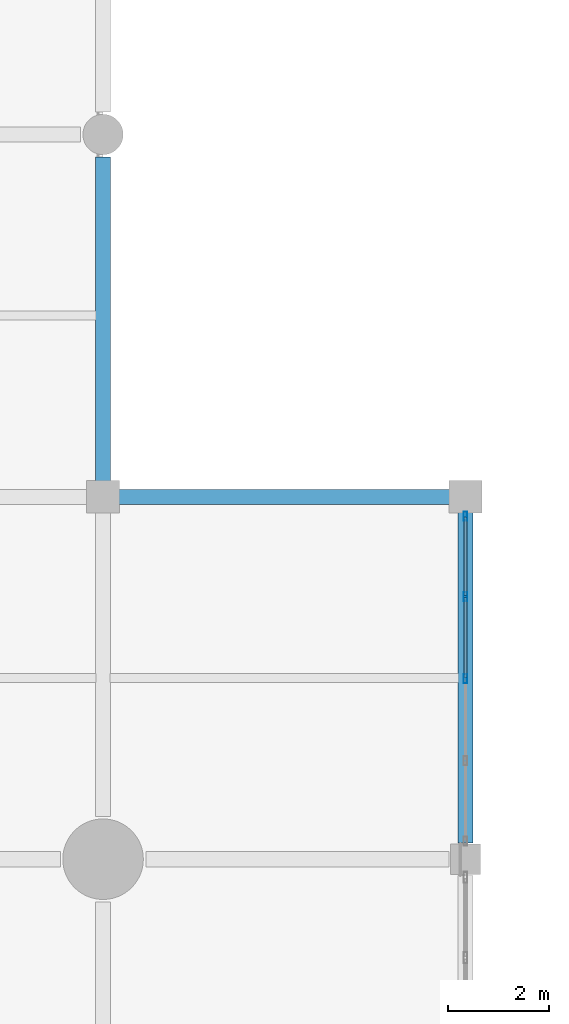
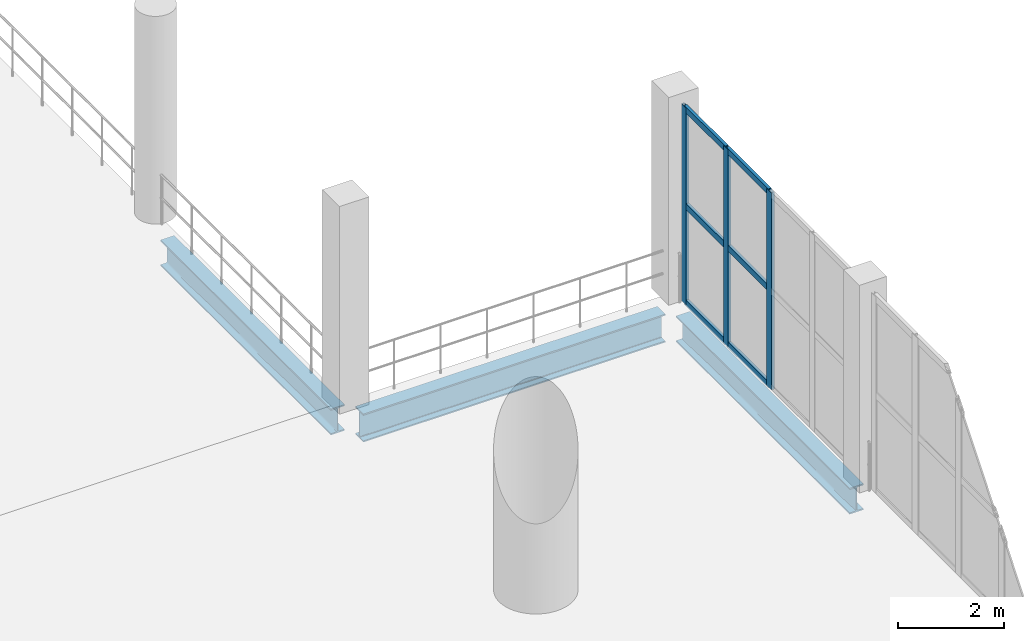
# One storey, part 54 of 105: 9 members, 3 beams, 1 element without a shape of its own.
"""IFC4 building model written with IfcOpenShell, lengths in metres."""

from ifc_helpers import new_model, si_unit, direction, frame, origin, origin_2d, place, context, subcontext, project, spatial, hollow_rectangle, i_section, extrude, material, material_profile, profile_set, type_object, element, aggregate, save


model = new_model("IFC4")

# Units and contexts
model_context = context("Model", 3, precision=1e-05, world=origin(), true_north=direction((0.0, 1.0)))
body_context = subcontext(model_context, "Body", "Model", "MODEL_VIEW")
ifc_project = project(units=[si_unit("LENGTHUNIT", "METRE"), si_unit("AREAUNIT", "SQUARE_METRE"), si_unit("VOLUMEUNIT", "CUBIC_METRE"), si_unit("PLANEANGLEUNIT", "RADIAN"), si_unit("MASSUNIT", "GRAM", prefix="KILO")], contexts=[model_context])

# Site, building, storey
site_placement = place(None, origin())
site = spatial("IfcSite", under=ifc_project, at=site_placement, CompositionType="ELEMENT")
building_placement = place(site_placement, origin())
building = spatial("IfcBuilding", under=site, at=building_placement, Name="Qandorah Velis Arena", CompositionType="ELEMENT")
storey_placement = place(building_placement, frame((0.0, 0.0, 13.800048828125)))
storey = spatial("IfcBuildingStorey", under=building, at=storey_placement, Name="L03", CompositionType="ELEMENT", Elevation=13.800048828125)

# Curtain wall, members
ifc_material_1 = material(Name="Solar-control low-E double glazing", Category="glass")
curtain_wall_type = type_object("IfcCurtainWallType", Name="ARC-CW-SYS10", PredefinedType="USERDEFINED", material=ifc_material_1)
curtain_wall_placement = place(storey_placement, origin())
curtain_wall = element("IfcCurtainWall", 1, at=curtain_wall_placement, inside=storey, type_object=curtain_wall_type, Name="Unitised curtain wall L03-178", ObjectType="UNITISED CURTAIN WALL", PredefinedType="USERDEFINED")
ifc_material_2 = material(Name="Champagne-bronze anodized aluminium 6063-T6", Category="aluminium")
ifc_material_profile_1 = material_profile(ifc_material_2, hollow_rectangle(XDim=0.06494140625, YDim=0.179931640625, WallThickness=0.00341796875, at=origin_2d()), Name="ALU MULLION 65x180")
ifc_profile_set_1 = profile_set([ifc_material_profile_1], Name="Champagne-bronze anodized aluminium 6063-T6")
member_type_1 = type_object("IfcMemberType", Name="ARC-CWM-180", PredefinedType="MULLION", material=ifc_profile_set_1)
member_1_placement = place(storey_placement, frame((122.39990234375, 104.387451171875, -0.01513671875), z_axis=(0.0, 0.0, 1.0), x_axis=(-1.0, 0.0, 0.0)))
member_1 = element("IfcMember", 2, at=member_1_placement, type_object=member_type_1, Name="CW10 mullion 3", PredefinedType="MULLION", context=body_context, shape_type="SweptSolid", body=[
    extrude(hollow_rectangle(XDim=0.06494140625, YDim=0.179931640625, WallThickness=0.00341796875, at=origin_2d()), origin(), (0.0, 0.0, 1.0), 4.56005859375),
])
member_2_placement = place(storey_placement, frame((122.39990234375, 106.018798828125, -0.01513671875), z_axis=(0.0, 0.0, 1.0), x_axis=(-1.0, 0.0, 0.0)))
member_2 = element("IfcMember", 3, at=member_2_placement, type_object=member_type_1, Name="CW10 mullion 4", PredefinedType="MULLION", context=body_context, shape_type="SweptSolid", body=[
    extrude(hollow_rectangle(XDim=0.06494140625, YDim=0.179931640625, WallThickness=0.00341796875, at=origin_2d()), origin(), (0.0, 0.0, 1.0), 4.56005859375),
])
member_3_placement = place(storey_placement, frame((122.39990234375, 107.617431640625, -0.01513671875), z_axis=(0.0, 0.0, 1.0), x_axis=(-1.0, 0.0, 0.0)))
member_3 = element("IfcMember", 4, at=member_3_placement, type_object=member_type_1, Name="CW10 mullion 5", PredefinedType="MULLION", context=body_context, shape_type="SweptSolid", body=[
    extrude(hollow_rectangle(XDim=0.06494140625, YDim=0.179931640625, WallThickness=0.00341796875, at=origin_2d()), origin(), (0.0, 0.0, 1.0), 4.56005859375),
])
ifc_material_profile_2 = material_profile(ifc_material_2, hollow_rectangle(XDim=0.06494140625, YDim=0.139892578125, WallThickness=0.0029296875, at=origin_2d()), Name="ALU TRANSOM 65x140")
ifc_profile_set_2 = profile_set([ifc_material_profile_2], Name="Champagne-bronze anodized aluminium 6063-T6")
member_type_2 = type_object("IfcMemberType", Name="ARC-CWT-140", PredefinedType="USERDEFINED", material=ifc_profile_set_2)
member_4_placement = place(storey_placement, frame((122.39990234375, 104.407958984375, 0.032470703125), z_axis=(0.0, 1.0, 0.0), x_axis=(-1.0, 0.0, 0.0)))
member_4 = element("IfcMember", 5, at=member_4_placement, type_object=member_type_2, Name="CW10 transom 3.1", ObjectType="TRANSOM", PredefinedType="USERDEFINED", context=body_context, shape_type="SweptSolid", body=[
    extrude(hollow_rectangle(XDim=0.06494140625, YDim=0.139892578125, WallThickness=0.0029296875, at=origin_2d()), origin(), (0.0, 0.0, 1.0), 1.59033203125),
])
member_5_placement = place(storey_placement, frame((122.39990234375, 104.407958984375, 2.264892578125), z_axis=(0.0, 1.0, 0.0), x_axis=(-1.0, 0.0, 0.0)))
member_5 = element("IfcMember", 6, at=member_5_placement, type_object=member_type_2, Name="CW10 transom 3.2", ObjectType="TRANSOM", PredefinedType="USERDEFINED", context=body_context, shape_type="SweptSolid", body=[
    extrude(hollow_rectangle(XDim=0.06494140625, YDim=0.139892578125, WallThickness=0.0029296875, at=origin_2d()), origin(), (0.0, 0.0, 1.0), 1.59033203125),
])
member_6_placement = place(storey_placement, frame((122.39990234375, 104.407958984375, 4.49755859375), z_axis=(0.0, 1.0, 0.0), x_axis=(-1.0, 0.0, 0.0)))
member_6 = element("IfcMember", 7, at=member_6_placement, type_object=member_type_2, Name="CW10 transom 3.3", ObjectType="TRANSOM", PredefinedType="USERDEFINED", context=body_context, shape_type="SweptSolid", body=[
    extrude(hollow_rectangle(XDim=0.06494140625, YDim=0.139892578125, WallThickness=0.0029296875, at=origin_2d()), origin(), (0.0, 0.0, 1.0), 1.59033203125),
])
member_7_placement = place(storey_placement, frame((122.39990234375, 106.039306640625, 0.032470703125), z_axis=(0.0, 1.0, 0.0), x_axis=(-1.0, 0.0, 0.0)))
member_7 = element("IfcMember", 8, at=member_7_placement, type_object=member_type_2, Name="CW10 transom 4.1", ObjectType="TRANSOM", PredefinedType="USERDEFINED", context=body_context, shape_type="SweptSolid", body=[
    extrude(hollow_rectangle(XDim=0.06494140625, YDim=0.139892578125, WallThickness=0.0029296875, at=origin_2d()), origin(), (0.0, 0.0, 1.0), 1.5576171875),
])
member_8_placement = place(storey_placement, frame((122.39990234375, 106.039306640625, 2.264892578125), z_axis=(0.0, 1.0, 0.0), x_axis=(-1.0, 0.0, 0.0)))
member_8 = element("IfcMember", 9, at=member_8_placement, type_object=member_type_2, Name="CW10 transom 4.2", ObjectType="TRANSOM", PredefinedType="USERDEFINED", context=body_context, shape_type="SweptSolid", body=[
    extrude(hollow_rectangle(XDim=0.06494140625, YDim=0.139892578125, WallThickness=0.0029296875, at=origin_2d()), origin(), (0.0, 0.0, 1.0), 1.5576171875),
])
member_9_placement = place(storey_placement, frame((122.39990234375, 106.039306640625, 4.49755859375), z_axis=(0.0, 1.0, 0.0), x_axis=(-1.0, 0.0, 0.0)))
member_9 = element("IfcMember", 10, at=member_9_placement, type_object=member_type_2, Name="CW10 transom 4.3", ObjectType="TRANSOM", PredefinedType="USERDEFINED", context=body_context, shape_type="SweptSolid", body=[
    extrude(hollow_rectangle(XDim=0.06494140625, YDim=0.139892578125, WallThickness=0.0029296875, at=origin_2d()), origin(), (0.0, 0.0, 1.0), 1.5576171875),
])
aggregate(curtain_wall, [member_1, member_2, member_3, member_4, member_5, member_6, member_7, member_8, member_9])

# Beams
ifc_material_3 = material(Name="Steel S355", Category="steel")
ifc_material_profile_3 = material_profile(ifc_material_3, i_section(OverallWidth=0.300048828125, OverallDepth=0.60009765625, WebThickness=0.015380859375, FlangeThickness=0.030029296875, FilletRadius=0.027099609375, at=origin_2d()), Name="HEB 600")
ifc_profile_set_3 = profile_set([ifc_material_profile_3], Name="Steel S355")
beam_type_1 = type_object("IfcBeamType", Name="STR-BM-HEB600", PredefinedType="BEAM", material=ifc_profile_set_3)
beam_1_placement = place(storey_placement, frame((115.199951171875, 108.300048828125, -0.6201171875), z_axis=(0.0, 1.0, 0.0), x_axis=(-1.0, 0.0, 0.0)))
element("IfcBeam", 11, at=beam_1_placement, inside=storey, type_object=beam_type_1, Name="Primary floor girder L03 Y-313", PredefinedType="BEAM", context=body_context, shape_type="SweptSolid", body=[
    extrude(i_section(OverallWidth=0.300048828125, OverallDepth=0.60009765625, WebThickness=0.015380859375, FlangeThickness=0.030029296875, FilletRadius=0.027099609375, at=origin_2d()), origin(), (0.0, 0.0, 1.0), 6.449951171875),
])
beam_2_placement = place(storey_placement, frame((122.39990234375, 101.125, -0.6201171875), z_axis=(0.0, 1.0, 0.0), x_axis=(-1.0, 0.0, 0.0)))
element("IfcBeam", 12, at=beam_2_placement, inside=storey, type_object=beam_type_1, Name="Primary floor girder L03 Y-322", PredefinedType="BEAM", context=body_context, shape_type="SweptSolid", body=[
    extrude(i_section(OverallWidth=0.300048828125, OverallDepth=0.60009765625, WebThickness=0.015380859375, FlangeThickness=0.030029296875, FilletRadius=0.027099609375, at=origin_2d()), origin(), (0.0, 0.0, 1.0), 6.574951171875),
])
ifc_material_profile_4 = material_profile(ifc_material_3, i_section(OverallWidth=0.300048828125, OverallDepth=0.64990234375, WebThickness=0.01611328125, FlangeThickness=0.031005859375, FilletRadius=0.027099609375, at=origin_2d()), Name="HEB 650")
ifc_profile_set_4 = profile_set([ifc_material_profile_4], Name="Steel S355")
beam_type_2 = type_object("IfcBeamType", Name="STR-BM-HEB650", PredefinedType="BEAM", material=ifc_profile_set_4)
beam_3_placement = place(storey_placement, frame((115.5, 108.0, -0.64501953125), z_axis=(1.0, 0.0, 0.0), x_axis=(0.0, 1.0, 0.0)))
element("IfcBeam", 13, at=beam_3_placement, inside=storey, type_object=beam_type_2, Name="Primary floor girder L03 X-137", PredefinedType="BEAM", context=body_context, shape_type="SweptSolid", body=[
    extrude(i_section(OverallWidth=0.300048828125, OverallDepth=0.64990234375, WebThickness=0.01611328125, FlangeThickness=0.031005859375, FilletRadius=0.027099609375, at=origin_2d()), origin(), (0.0, 0.0, 1.0), 6.60009765625),
])

save(model, "model.ifc")
